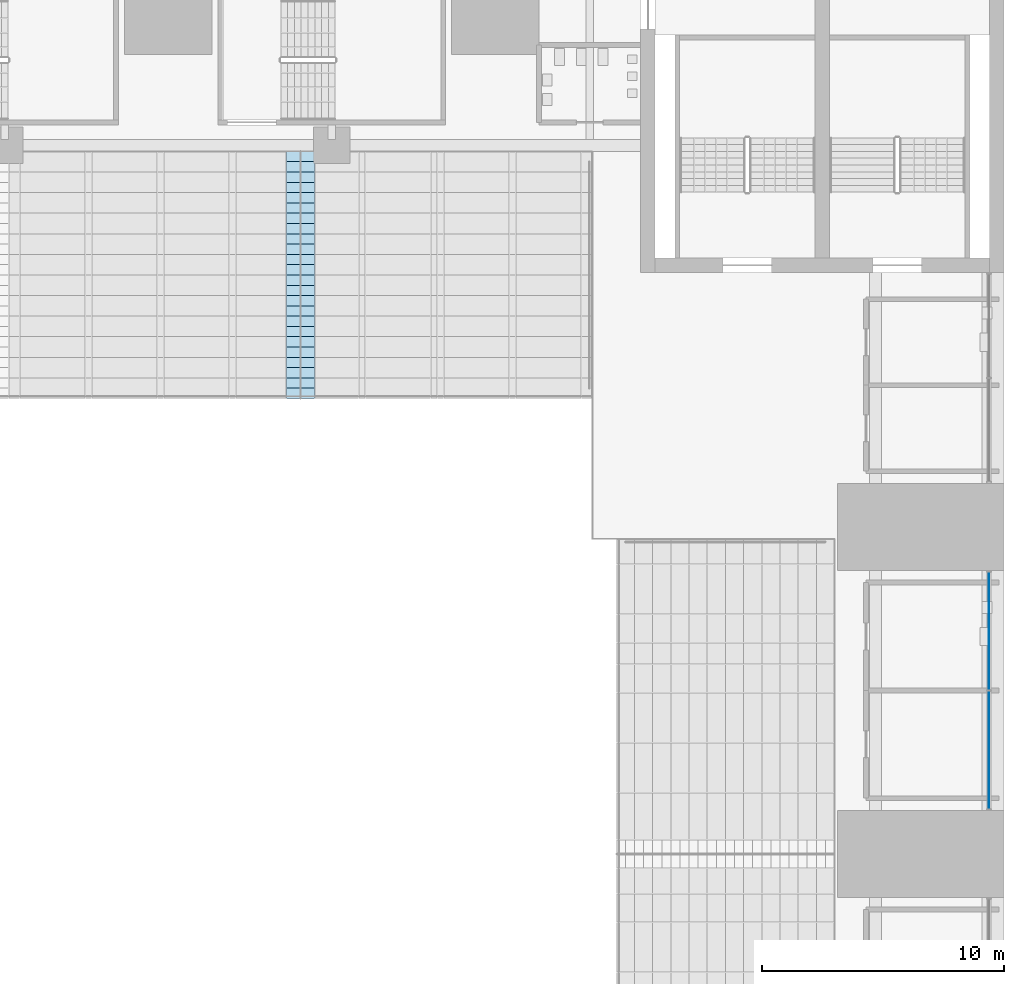
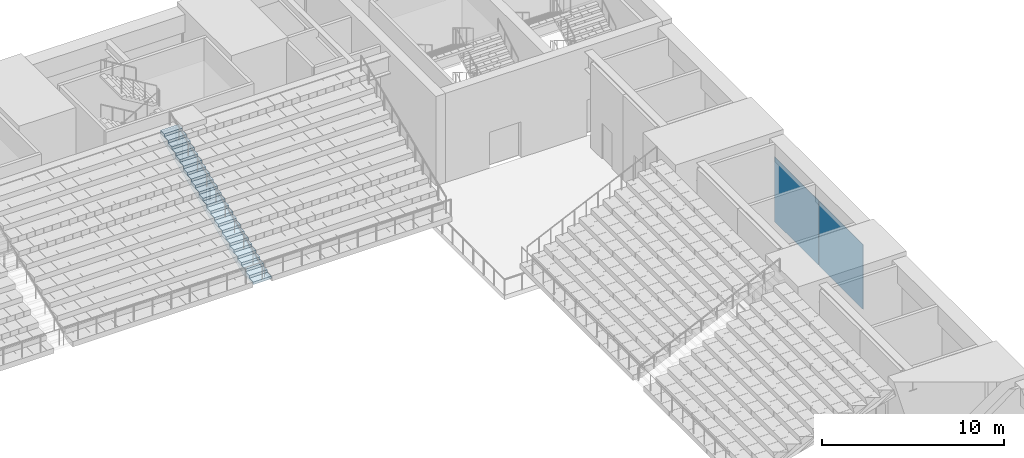
# One storey, part 27 of 61: 2 plates, 1 slab, 1 element without a shape of its own.
"""IFC4 building model written with IfcOpenShell, lengths in metres."""

from ifc_helpers import new_model, si_unit, direction, frame, origin, origin_2d, place, context, subcontext, project, spatial, polyline, rectangle, outline, extrude, material, layer, layer_set, type_object, element, aggregate, save


model = new_model("IFC4")

# Units and contexts
model_context = context("Model", 3, precision=1e-05, world=origin(), true_north=direction((0.0, 1.0)))
body_context = subcontext(model_context, "Body", "Model", "MODEL_VIEW")
ifc_project = project(units=[si_unit("LENGTHUNIT", "METRE"), si_unit("AREAUNIT", "SQUARE_METRE"), si_unit("VOLUMEUNIT", "CUBIC_METRE"), si_unit("PLANEANGLEUNIT", "RADIAN"), si_unit("MASSUNIT", "GRAM", prefix="KILO")], contexts=[model_context])

# Site, building, storey
site_placement = place(None, origin())
site = spatial("IfcSite", under=ifc_project, at=site_placement, CompositionType="ELEMENT")
building_placement = place(site_placement, origin())
building = spatial("IfcBuilding", under=site, at=building_placement, Name="Corbelhall Arena Tower", CompositionType="ELEMENT")
storey_placement = place(building_placement, frame((0.0, 0.0, 31.0)))
storey = spatial("IfcBuildingStorey", under=building, at=storey_placement, Name="L04", CompositionType="ELEMENT", Elevation=31.0)

# Slab
ifc_material_1 = material(Name="Precast concrete C40/50", Category="concrete")
ifc_layer_1 = layer(ifc_material_1, 0.25)
ifc_layer_set_1 = layer_set([ifc_layer_1], Name="AISLE STEPS (BC 1029)")
slab_type = type_object("IfcSlabType", Name="AISLE STEPS (BC 1029)", PredefinedType="FLOOR", material=ifc_layer_set_1)
slab_placement = place(storey_placement, frame((18.9599609375, 18.800048828125, 1.625), z_axis=(0.0, 0.0, 1.0), x_axis=(0.0, 1.0, 0.0)))
element("IfcSlab", 1, at=slab_placement, inside=storey, type_object=slab_type, Name="Aisle steps UN-AIS4", PredefinedType="FLOOR", context=body_context, shape_type="SweptSolid", body=[
    extrude(outline(polyline([(0.0, 0.0), (0.0, 0.175048828125), (0.425048828125, 0.175048828125), (0.425048828125, 0.35009765625), (0.85009765625, 0.35009765625), (0.85009765625, 0.52490234375), (1.27490234375, 0.52490234375), (1.27490234375, 0.699951171875), (1.699951171875, 0.699951171875), (1.699951171875, 0.875), (2.125, 0.875), (2.125, 1.050048828125), (2.550048828125, 1.050048828125), (2.550048828125, 1.22509765625), (2.97509765625, 1.22509765625), (2.97509765625, 1.39990234375), (3.39990234375, 1.39990234375), (3.39990234375, 1.574951171875), (3.824951171875, 1.574951171875), (3.824951171875, 1.75), (4.25, 1.75), (4.25, 1.925048828125), (4.675048828125, 1.925048828125), (4.675048828125, 2.10009765625), (5.10009765625, 2.10009765625), (5.10009765625, 2.27490234375), (5.52490234375, 2.27490234375), (5.52490234375, 2.449951171875), (5.949951171875, 2.449951171875), (5.949951171875, 2.625), (6.375, 2.625), (6.375, 2.800048828125), (6.800048828125, 2.800048828125), (6.800048828125, 2.97509765625), (7.22509765625, 2.97509765625), (7.22509765625, 3.14990234375), (7.64990234375, 3.14990234375), (7.64990234375, 3.324951171875), (8.074951171875, 3.324951171875), (8.074951171875, 3.5), (8.5, 3.5), (8.5, 3.675048828125), (8.925048828125, 3.675048828125), (8.925048828125, 3.85009765625), (9.35009765625, 3.85009765625), (9.35009765625, 4.02490234375), (9.77490234375, 4.02490234375), (9.77490234375, 4.199951171875), (10.199951171875, 4.199951171875), (10.199951171875, 4.375), (10.199951171875, 3.754638671875), (1.081787109375, 0.0), (0.0, 0.0)])), frame((0.0, 0.580078125, 0.0), z_axis=(0.0, -1.0, 0.0), x_axis=(1.0, 0.0, 0.0)), (0.0, 0.0, 1.0), 1.159912109375),
])

# Curtain wall, plates
ifc_material_2 = material(Name="Aluminium black anodised", Category="aluminium")
ifc_layer_2 = layer(ifc_material_2, 0.239990234375)
ifc_layer_set_2 = layer_set([ifc_layer_2], Name="EV-CW4 Arena concourse glazing")
curtain_wall_type = type_object("IfcCurtainWallType", Name="EV-CW4 Arena concourse glazing", PredefinedType="NOTDEFINED", material=ifc_layer_set_2)
curtain_wall_placement = place(storey_placement, origin())
curtain_wall = element("IfcCurtainWall", 2, at=curtain_wall_placement, inside=storey, type_object=curtain_wall_type, Name="Curtain wall CW4", PredefinedType="NOTDEFINED")
ifc_material_3 = material(Name="Glass dark tinted laminated", Category="glass")
ifc_layer_3 = layer(ifc_material_3, 0.028076171875)
ifc_layer_set_3 = layer_set([ifc_layer_3], Name="EV-CW4-PANEL")
plate_type = type_object("IfcPlateType", Name="EV-CW4-PANEL", PredefinedType="CURTAIN_PANEL", material=ifc_layer_set_3)
plate_1_placement = place(storey_placement, frame((47.3798828125, 4.293701171875, 0.074951171875), z_axis=(0.0, 0.0, 1.0), x_axis=(0.0, 1.0, 0.0)))
plate_1 = element("IfcPlate", 3, at=plate_1_placement, type_object=plate_type, Name="CW4 panel 1.1", PredefinedType="CURTAIN_PANEL", context=body_context, shape_type="SweptSolid", body=[
    extrude(rectangle(XDim=4.83740234375, YDim=0.028076171875, at=origin_2d()), origin(), (0.0, 0.0, 1.0), 4.35009765625),
])
plate_2_placement = place(storey_placement, frame((47.3798828125, 9.206298828125, 0.074951171875), z_axis=(0.0, 0.0, 1.0), x_axis=(0.0, 1.0, 0.0)))
plate_2 = element("IfcPlate", 4, at=plate_2_placement, type_object=plate_type, Name="CW4 panel 2.1", PredefinedType="CURTAIN_PANEL", context=body_context, shape_type="SweptSolid", body=[
    extrude(rectangle(XDim=4.83740234375, YDim=0.028076171875, at=origin_2d()), origin(), (0.0, 0.0, 1.0), 4.35009765625),
])
aggregate(curtain_wall, [plate_1, plate_2])

save(model, "model.ifc")
